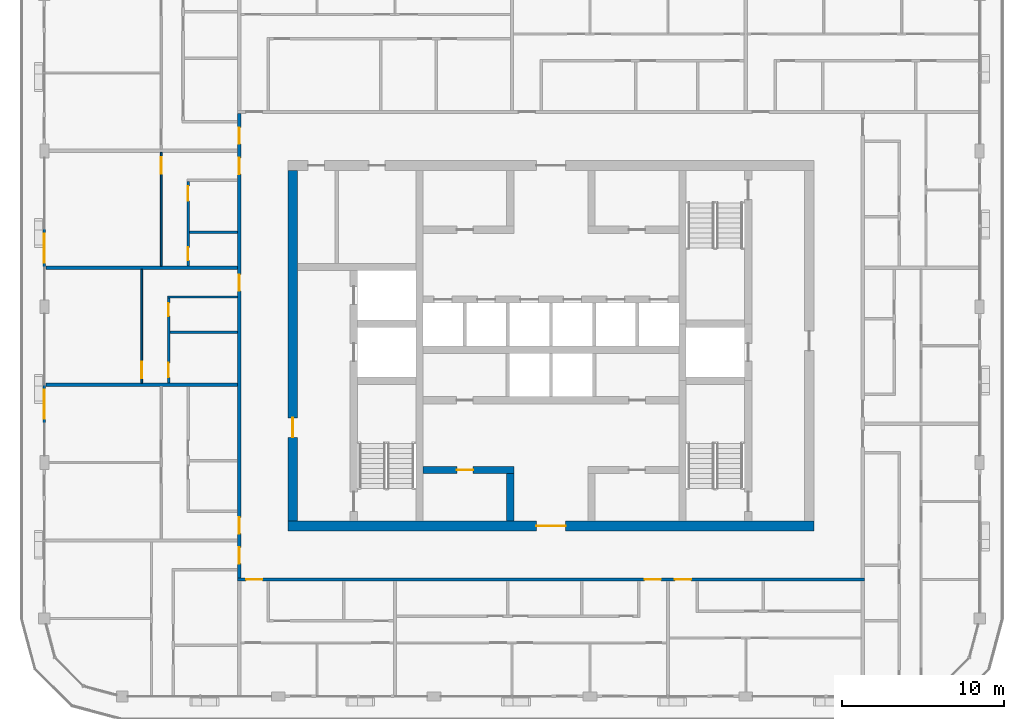
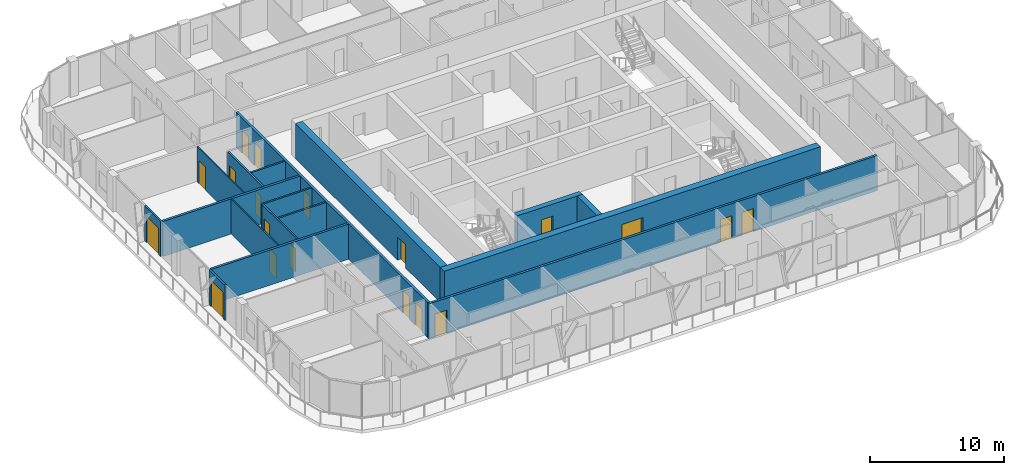
# One storey, part 10 of 21: 19 doors, 17 walls, 19 openings.
"""IFC4 building model written with IfcOpenShell, lengths in metres."""

from ifc_helpers import new_model, si_unit, direction, frame, frame_2d, origin, place, context, subcontext, project, spatial, rectangle, extrude, material, layer, layer_set, type_object, element, fill, save


model = new_model("IFC4")

# Units and contexts
model_context = context("Model", 3, precision=1e-05, world=origin(), true_north=direction((0.0, 1.0)))
body_context = subcontext(model_context, "Body", "Model", "MODEL_VIEW")
ifc_project = project(units=[si_unit("LENGTHUNIT", "METRE"), si_unit("AREAUNIT", "SQUARE_METRE"), si_unit("VOLUMEUNIT", "CUBIC_METRE"), si_unit("PLANEANGLEUNIT", "RADIAN"), si_unit("MASSUNIT", "GRAM", prefix="KILO")], contexts=[model_context])

# Site, building, storey
site_placement = place(None, origin())
site = spatial("IfcSite", under=ifc_project, at=site_placement, CompositionType="ELEMENT")
building_placement = place(site_placement, origin())
building = spatial("IfcBuilding", under=site, at=building_placement, Name="Madar Terraces", CompositionType="ELEMENT")
storey_placement = place(building_placement, frame((0.0, 0.0, 252.699951171875)))
storey = spatial("IfcBuildingStorey", under=building, at=storey_placement, Name="L66", CompositionType="ELEMENT", Elevation=252.699951171875)

# Wall, opening, door
ifc_material_1 = material(Name="Concrete C55/67", Category="concrete")
ifc_layer_1 = layer(ifc_material_1, 0.449951171875)
ifc_layer_set_1 = layer_set([ifc_layer_1], Name="Concrete C55/67 (CIW5 RC wall 450)")
wall_type_1 = type_object("IfcWallType", Name="CIW5 RC wall 450", PredefinedType="SHEAR", material=ifc_layer_set_1)
wall_1_placement = place(storey_placement, frame((23.324951171875, 18.75, 0.0), z_axis=(0.0, 0.0, 1.0), x_axis=(1.0, 0.0, 0.0)))
wall_1 = element("IfcWall", 1, at=wall_1_placement, inside=storey, type_object=wall_type_1, Name="CORE SHAFT WALL", PredefinedType="SHEAR", context=body_context, shape_type="SweptSolid", body=[
    extrude(rectangle(XDim=5.60009765625, YDim=0.449951171875, at=frame_2d((2.800048828125, 0.0))), origin(), (0.0, 0.0, 1.0), 3.199951171875),
])
opening_1_placement = place(wall_1_placement, frame((2.074951171875, 0.0, 0.0)))
opening_1 = element("IfcOpeningElement", 2, at=opening_1_placement, cuts=wall_1, Name="Opening KD2", PredefinedType="OPENING", context=body_context, shape_type="SweptSolid", body=[
    extrude(rectangle(XDim=1.0, YDim=2.10009765625, at=frame_2d((0.5, 1.050048828125))), frame((0.0, 0.23486328125, 0.0), z_axis=(0.0, -1.0, 0.0), x_axis=(1.0, 0.0, 0.0)), (0.0, 0.0, 1.0), 0.469970703125),
])
ifc_material_2 = material(Name="Steel door leaf", Category="steel")
door_type_1 = type_object("IfcDoorType", Name="Service room door 1000 x 2100", OperationType="NOTDEFINED", PredefinedType="DOOR", material=ifc_material_2)
door_1_placement = place(opening_1_placement, origin())
door_1 = element("IfcDoor", 3, at=door_1_placement, inside=storey, type_object=door_type_1, Name="SERVICE ROOM DOOR", OperationType="SINGLE_SWING_LEFT", OverallHeight=2.10009765625, OverallWidth=1.0, PredefinedType="DOOR", context=body_context, shape_type="SweptSolid", body=[
    extrude(rectangle(XDim=1.0, YDim=2.10009765625, at=frame_2d((0.5, 1.050048828125))), frame((0.0, 0.02490234375, 0.0), z_axis=(0.0, -1.0, 0.0), x_axis=(1.0, 0.0, 0.0)), (0.0, 0.0, 1.0), 0.050048828125),
])
fill(opening_1, door_1)

# Wall
wall_2_placement = place(storey_placement, frame((28.699951171875, 15.60009765625, 0.0), z_axis=(0.0, 0.0, 1.0), x_axis=(0.0, 1.0, 0.0)))
element("IfcWall", 4, at=wall_2_placement, inside=storey, type_object=wall_type_1, Name="CORE SHAFT WALL", PredefinedType="SHEAR", context=body_context, shape_type="SweptSolid", body=[
    extrude(rectangle(XDim=2.9248046875, YDim=0.449951171875, at=frame_2d((1.46240234375, 0.0))), origin(), (0.0, 0.0, 1.0), 3.199951171875),
])

# Wall, opening, door
ifc_material_3 = material(Name="Concrete C55/67", Category="concrete")
ifc_layer_2 = layer(ifc_material_3, 0.60009765625)
ifc_layer_set_2 = layer_set([ifc_layer_2], Name="Concrete C55/67 (CRW5 RC wall 600)")
wall_type_2 = type_object("IfcWallType", Name="CRW5 RC wall 600", PredefinedType="SHEAR", material=ifc_layer_set_2)
wall_3_placement = place(storey_placement, frame((15.0, 15.300048828125, 0.0), z_axis=(0.0, 0.0, 1.0), x_axis=(1.0, 0.0, 0.0)))
wall_3 = element("IfcWall", 5, at=wall_3_placement, inside=storey, type_object=wall_type_2, Name="CORE OUTER WALL", PredefinedType="SHEAR", context=body_context, shape_type="SweptSolid", body=[
    extrude(rectangle(XDim=32.39990234375, YDim=0.60009765625, at=frame_2d((16.199951171875, 0.0))), origin(), (0.0, 0.0, 1.0), 3.199951171875),
])
opening_2_placement = place(wall_3_placement, frame((15.300048828125, 0.0, 0.0)))
opening_2 = element("IfcOpeningElement", 6, at=opening_2_placement, cuts=wall_3, Name="Opening KD1", PredefinedType="OPENING", context=body_context, shape_type="SweptSolid", body=[
    extrude(rectangle(XDim=1.800048828125, YDim=2.10009765625, at=frame_2d((0.89990234375, 1.050048828125))), frame((0.0, 0.31005859375, 0.0), z_axis=(0.0, -1.0, 0.0), x_axis=(1.0, 0.0, 0.0)), (0.0, 0.0, 1.0), 0.6201171875),
])
ifc_material_4 = material(Name="Steel door leaf", Category="steel")
door_type_2 = type_object("IfcDoorType", Name="Lobby door pair 1800 x 2100", OperationType="DOUBLE_DOOR_SINGLE_SWING", PredefinedType="DOOR", material=ifc_material_4)
door_2_placement = place(opening_2_placement, frame((1.800048828125, 0.0, 0.0), z_axis=(0.0, 0.0, 1.0), x_axis=(-1.0, 0.0, 0.0)))
door_2 = element("IfcDoor", 7, at=door_2_placement, inside=storey, type_object=door_type_2, Name="LIFT LOBBY DOOR", OperationType="DOUBLE_DOOR_SINGLE_SWING", OverallHeight=2.10009765625, OverallWidth=1.800048828125, PredefinedType="DOOR", context=body_context, shape_type="SweptSolid", body=[
    extrude(rectangle(XDim=1.800048828125, YDim=2.10009765625, at=frame_2d((0.89990234375, 1.050048828125))), frame((0.0, 0.02490234375, 0.0), z_axis=(0.0, -1.0, 0.0), x_axis=(1.0, 0.0, 0.0)), (0.0, 0.0, 1.0), 0.050048828125),
])
fill(opening_2, door_2)

wall_4_placement = place(storey_placement, frame((15.300048828125, 15.60009765625, 0.0), z_axis=(0.0, 0.0, 1.0), x_axis=(0.0, 1.0, 0.0)))
wall_4 = element("IfcWall", 8, at=wall_4_placement, inside=storey, type_object=wall_type_2, Name="CORE OUTER WALL", PredefinedType="SHEAR", context=body_context, shape_type="SweptSolid", body=[
    extrude(rectangle(XDim=21.599853515625, YDim=0.60009765625, at=frame_2d((10.7998046875, 0.0))), origin(), (0.0, 0.0, 1.0), 3.199951171875),
])
opening_3_placement = place(wall_4_placement, frame((5.159912109375, 0.0, 0.0)))
opening_3 = element("IfcOpeningElement", 9, at=opening_3_placement, cuts=wall_4, Name="Opening SD1", PredefinedType="OPENING", context=body_context, shape_type="SweptSolid", body=[
    extrude(rectangle(XDim=1.199951171875, YDim=2.10009765625, at=frame_2d((0.60009765625, 1.050048828125))), frame((0.0, 0.31005859375, 0.0), z_axis=(0.0, -1.0, 0.0), x_axis=(1.0, 0.0, 0.0)), (0.0, 0.0, 1.0), 0.6201171875),
])
ifc_material_5 = material(Name="Steel door leaf", Category="steel")
door_type_3 = type_object("IfcDoorType", Name="Stair door 1200 x 2100", OperationType="NOTDEFINED", PredefinedType="DOOR", material=ifc_material_5)
door_3_placement = place(opening_3_placement, frame((1.199951171875, 0.0, 0.0), z_axis=(0.0, 0.0, 1.0), x_axis=(-1.0, 0.0, 0.0)))
door_3 = element("IfcDoor", 10, at=door_3_placement, inside=storey, type_object=door_type_3, Name="STAIR DOOR", OperationType="SINGLE_SWING_LEFT", OverallHeight=2.10009765625, OverallWidth=1.199951171875, PredefinedType="DOOR", context=body_context, shape_type="SweptSolid", body=[
    extrude(rectangle(XDim=1.199951171875, YDim=2.10009765625, at=frame_2d((0.60009765625, 1.050048828125))), frame((0.0, 0.02490234375, 0.0), z_axis=(0.0, -1.0, 0.0), x_axis=(1.0, 0.0, 0.0)), (0.0, 0.0, 1.0), 0.050048828125),
])
fill(opening_3, door_3)

ifc_material_6 = material(Name="Aluminium composite panel, black, over insulated backing", Category="aluminium")
ifc_layer_3 = layer(ifc_material_6, 0.14990234375)
ifc_layer_set_3 = layer_set([ifc_layer_3], Name="Facade bay panel 150")
wall_type_3 = type_object("IfcWallType", Name="Facade bay panel 150", PredefinedType="SOLIDWALL", material=ifc_layer_set_3)
wall_5_placement = place(storey_placement, frame((0.0, 33.60009765625, 0.0), z_axis=(0.0, 0.0, 1.0), x_axis=(0.0, -1.0, 0.0)))
wall_5 = element("IfcWall", 11, at=wall_5_placement, inside=storey, type_object=wall_type_3, Name="Facade bay panel", PredefinedType="SOLIDWALL", context=body_context, shape_type="SweptSolid", body=[
    extrude(rectangle(XDim=2.400146484375, YDim=0.14990234375, at=frame_2d((1.2001953125, 0.0))), origin(), (0.0, 0.0, 1.0), 3.199951171875),
])
opening_4_placement = place(wall_5_placement, frame((0.300048828125, 0.0, 0.0)))
opening_4 = element("IfcOpeningElement", 12, at=opening_4_placement, cuts=wall_5, Name="Opening ED1", PredefinedType="OPENING", context=body_context, shape_type="SweptSolid", body=[
    extrude(rectangle(XDim=1.800048828125, YDim=2.39990234375, at=frame_2d((0.89990234375, 1.199951171875))), frame((0.0, 0.0849609375, 0.0), z_axis=(0.0, -1.0, 0.0), x_axis=(1.0, 0.0, 0.0)), (0.0, 0.0, 1.0), 0.169921875),
])
ifc_material_7 = material(Name="Glass, clear, with black aluminium frame", Category="aluminium")
door_type_4 = type_object("IfcDoorType", Name="Balcony and terrace sliding door 1800 x 2400", OperationType="SLIDING_TO_LEFT", PredefinedType="DOOR", material=ifc_material_7)
door_4_placement = place(opening_4_placement, origin())
door_4 = element("IfcDoor", 13, at=door_4_placement, inside=storey, type_object=door_type_4, Name="Balcony door", OperationType="SLIDING_TO_RIGHT", OverallHeight=2.39990234375, OverallWidth=1.800048828125, PredefinedType="DOOR", context=body_context, shape_type="SweptSolid", body=[
    extrude(rectangle(XDim=1.800048828125, YDim=2.39990234375, at=frame_2d((0.89990234375, 1.199951171875))), frame((0.0, 0.02490234375, 0.0), z_axis=(0.0, -1.0, 0.0), x_axis=(1.0, 0.0, 0.0)), (0.0, 0.0, 1.0), 0.050048828125),
])
fill(opening_4, door_4)

wall_6_placement = place(storey_placement, frame((0.0, 24.0, 0.0), z_axis=(0.0, 0.0, 1.0), x_axis=(0.0, -1.0, 0.0)))
wall_6 = element("IfcWall", 14, at=wall_6_placement, inside=storey, type_object=wall_type_3, Name="Facade bay panel", PredefinedType="SOLIDWALL", context=body_context, shape_type="SweptSolid", body=[
    extrude(rectangle(XDim=2.39990234375, YDim=0.14990234375, at=frame_2d((1.199951171875, 0.0))), origin(), (0.0, 0.0, 1.0), 3.199951171875),
])
opening_5_placement = place(wall_6_placement, frame((0.300048828125, 0.0, 0.0)))
opening_5 = element("IfcOpeningElement", 15, at=opening_5_placement, cuts=wall_6, Name="Opening ED1", PredefinedType="OPENING", context=body_context, shape_type="SweptSolid", body=[
    extrude(rectangle(XDim=1.800048828125, YDim=2.39990234375, at=frame_2d((0.89990234375, 1.199951171875))), frame((0.0, 0.0849609375, 0.0), z_axis=(0.0, -1.0, 0.0), x_axis=(1.0, 0.0, 0.0)), (0.0, 0.0, 1.0), 0.169921875),
])
door_5_placement = place(opening_5_placement, origin())
door_5 = element("IfcDoor", 16, at=door_5_placement, inside=storey, type_object=door_type_4, Name="Balcony door", OperationType="SLIDING_TO_LEFT", OverallHeight=2.39990234375, OverallWidth=1.800048828125, PredefinedType="DOOR", context=body_context, shape_type="SweptSolid", body=[
    extrude(rectangle(XDim=1.800048828125, YDim=2.39990234375, at=frame_2d((0.89990234375, 1.199951171875))), frame((0.0, 0.02490234375, 0.0), z_axis=(0.0, -1.0, 0.0), x_axis=(1.0, 0.0, 0.0)), (0.0, 0.0, 1.0), 0.050048828125),
])
fill(opening_5, door_5)

ifc_material_8 = material(Name="Gypsum board on steel studs", Category="steel")
ifc_layer_4 = layer(ifc_material_8, 0.10009765625)
ifc_layer_set_4 = layer_set([ifc_layer_4], Name="Flat partition 100")
wall_type_4 = type_object("IfcWallType", Name="Flat partition 100", PredefinedType="PARTITIONING", material=ifc_layer_set_4)
wall_7_placement = place(storey_placement, frame((7.199951171875, 31.300048828125, 0.0), z_axis=(0.0, 0.0, 1.0), x_axis=(0.0, 1.0, 0.0)))
wall_7 = element("IfcWall", 17, at=wall_7_placement, inside=storey, type_object=wall_type_4, Name="Flat partition 100", PredefinedType="PARTITIONING", context=body_context, shape_type="SweptSolid", body=[
    extrude(rectangle(XDim=7.0, YDim=0.10009765625, at=frame_2d((3.5, 0.0))), origin(), (0.0, 0.0, 1.0), 3.199951171875),
])
opening_6_placement = place(wall_7_placement, frame((5.699951171875, 0.0, 0.0)))
opening_6 = element("IfcOpeningElement", 18, at=opening_6_placement, cuts=wall_7, Name="Opening D3", PredefinedType="OPENING", context=body_context, shape_type="SweptSolid", body=[
    extrude(rectangle(XDim=1.0, YDim=2.10009765625, at=frame_2d((0.5, 1.050048828125))), frame((0.0, 0.06005859375, 0.0), z_axis=(0.0, -1.0, 0.0), x_axis=(1.0, 0.0, 0.0)), (0.0, 0.0, 1.0), 0.1201171875),
])
ifc_material_9 = material(Name="Timber door leaf", Category="wood")
door_type_5 = type_object("IfcDoorType", Name="Flat living room door 1000", OperationType="NOTDEFINED", PredefinedType="DOOR", material=ifc_material_9)
door_6_placement = place(opening_6_placement, origin())
door_6 = element("IfcDoor", 19, at=door_6_placement, inside=storey, type_object=door_type_5, Name="Flat living room door 1000", OperationType="SINGLE_SWING_RIGHT", OverallHeight=2.10009765625, OverallWidth=1.0, PredefinedType="DOOR", context=body_context, shape_type="SweptSolid", body=[
    extrude(rectangle(XDim=1.0, YDim=2.10009765625, at=frame_2d((0.5, 1.050048828125))), frame((0.0, 0.02490234375, 0.0), z_axis=(0.0, -1.0, 0.0), x_axis=(1.0, 0.0, 0.0)), (0.0, 0.0, 1.0), 0.050048828125),
])
fill(opening_6, door_6)

wall_8_placement = place(storey_placement, frame((6.0, 24.10009765625, 0.0), z_axis=(0.0, 0.0, 1.0), x_axis=(0.0, 1.0, 0.0)))
wall_8 = element("IfcWall", 20, at=wall_8_placement, inside=storey, type_object=wall_type_4, Name="Flat partition 100", PredefinedType="PARTITIONING", context=body_context, shape_type="SweptSolid", body=[
    extrude(rectangle(XDim=7.0, YDim=0.10009765625, at=frame_2d((3.5, 0.0))), origin(), (0.0, 0.0, 1.0), 3.199951171875),
])
opening_7_placement = place(wall_8_placement, frame((0.300048828125, 0.0, 0.0)))
opening_7 = element("IfcOpeningElement", 21, at=opening_7_placement, cuts=wall_8, Name="Opening D3", PredefinedType="OPENING", context=body_context, shape_type="SweptSolid", body=[
    extrude(rectangle(XDim=1.0, YDim=2.10009765625, at=frame_2d((0.5, 1.050048828125))), frame((0.0, 0.06005859375, 0.0), z_axis=(0.0, -1.0, 0.0), x_axis=(1.0, 0.0, 0.0)), (0.0, 0.0, 1.0), 0.1201171875),
])
door_7_placement = place(opening_7_placement, origin())
door_7 = element("IfcDoor", 22, at=door_7_placement, inside=storey, type_object=door_type_5, Name="Flat living room door 1000", OperationType="SINGLE_SWING_LEFT", OverallHeight=2.10009765625, OverallWidth=1.0, PredefinedType="DOOR", context=body_context, shape_type="SweptSolid", body=[
    extrude(rectangle(XDim=1.0, YDim=2.10009765625, at=frame_2d((0.5, 1.050048828125))), frame((0.0, 0.02490234375, 0.0), z_axis=(0.0, -1.0, 0.0), x_axis=(1.0, 0.0, 0.0)), (0.0, 0.0, 1.0), 0.050048828125),
])
fill(opening_7, door_7)

# Wall, openings, doors
ifc_material_10 = material(Name="Lightweight blockwork", Category="masonry")
ifc_layer_5 = layer(ifc_material_10, 0.199951171875)
ifc_layer_set_5 = layer_set([ifc_layer_5], Name="Flat party and entrance wall 200")
wall_type_5 = type_object("IfcWallType", Name="Flat party and entrance wall 200", PredefinedType="PARTITIONING", material=ifc_layer_set_5)
wall_9_placement = place(storey_placement, frame((50.5, 12.0, 0.0), z_axis=(0.0, 0.0, 1.0), x_axis=(-1.0, 0.0, 0.0)))
wall_9 = element("IfcWall", 23, at=wall_9_placement, inside=storey, type_object=wall_type_5, Name="Flat party and entrance wall 200", PredefinedType="PARTITIONING", context=body_context, shape_type="SweptSolid", body=[
    extrude(rectangle(XDim=38.60009765625, YDim=0.199951171875, at=frame_2d((19.300048828125, 0.0))), origin(), (0.0, 0.0, 1.0), 3.199951171875),
])
opening_8_placement = place(wall_9_placement, frame((37.074951171875, 0.0, 0.0)))
opening_8 = element("IfcOpeningElement", 24, at=opening_8_placement, cuts=wall_9, Name="Opening D1", PredefinedType="OPENING", context=body_context, shape_type="SweptSolid", body=[
    extrude(rectangle(XDim=1.0, YDim=2.10009765625, at=frame_2d((0.5, 1.050048828125))), frame((0.0, 0.10986328125, 0.0), z_axis=(0.0, -1.0, 0.0), x_axis=(1.0, 0.0, 0.0)), (0.0, 0.0, 1.0), 0.219970703125),
])
opening_9_placement = place(wall_9_placement, frame((12.52490234375, 0.0, 0.0)))
opening_9 = element("IfcOpeningElement", 25, at=opening_9_placement, cuts=wall_9, Name="Opening D1", PredefinedType="OPENING", context=body_context, shape_type="SweptSolid", body=[
    extrude(rectangle(XDim=1.0, YDim=2.10009765625, at=frame_2d((0.5, 1.050048828125))), frame((0.0, 0.10986328125, 0.0), z_axis=(0.0, -1.0, 0.0), x_axis=(1.0, 0.0, 0.0)), (0.0, 0.0, 1.0), 0.219970703125),
])
opening_10_placement = place(wall_9_placement, frame((10.675048828125, 0.0, 0.0)))
opening_10 = element("IfcOpeningElement", 26, at=opening_10_placement, cuts=wall_9, Name="Opening D1", PredefinedType="OPENING", context=body_context, shape_type="SweptSolid", body=[
    extrude(rectangle(XDim=1.0, YDim=2.10009765625, at=frame_2d((0.5, 1.050048828125))), frame((0.0, 0.10986328125, 0.0), z_axis=(0.0, -1.0, 0.0), x_axis=(1.0, 0.0, 0.0)), (0.0, 0.0, 1.0), 0.219970703125),
])
ifc_material_11 = material(Name="Timber fire door leaf", Category="wood")
door_type_6 = type_object("IfcDoorType", Name="Flat entrance door 1000 FD30S", OperationType="NOTDEFINED", PredefinedType="DOOR", material=ifc_material_11)
door_8_placement = place(opening_8_placement, origin())
door_8 = element("IfcDoor", 27, at=door_8_placement, inside=storey, type_object=door_type_6, Name="Flat entrance door 1000 FD30S", OperationType="SINGLE_SWING_RIGHT", OverallHeight=2.10009765625, OverallWidth=1.0, PredefinedType="DOOR", context=body_context, shape_type="SweptSolid", body=[
    extrude(rectangle(XDim=1.0, YDim=2.10009765625, at=frame_2d((0.5, 1.050048828125))), frame((0.0, 0.02490234375, 0.0), z_axis=(0.0, -1.0, 0.0), x_axis=(1.0, 0.0, 0.0)), (0.0, 0.0, 1.0), 0.050048828125),
])
fill(opening_8, door_8)
door_9_placement = place(opening_9_placement, origin())
door_9 = element("IfcDoor", 28, at=door_9_placement, inside=storey, type_object=door_type_6, Name="Flat entrance door 1000 FD30S", OperationType="SINGLE_SWING_LEFT", OverallHeight=2.10009765625, OverallWidth=1.0, PredefinedType="DOOR", context=body_context, shape_type="SweptSolid", body=[
    extrude(rectangle(XDim=1.0, YDim=2.10009765625, at=frame_2d((0.5, 1.050048828125))), frame((0.0, 0.02490234375, 0.0), z_axis=(0.0, -1.0, 0.0), x_axis=(1.0, 0.0, 0.0)), (0.0, 0.0, 1.0), 0.050048828125),
])
fill(opening_9, door_9)
door_10_placement = place(opening_10_placement, origin())
door_10 = element("IfcDoor", 29, at=door_10_placement, inside=storey, type_object=door_type_6, Name="Flat entrance door 1000 FD30S", OperationType="SINGLE_SWING_RIGHT", OverallHeight=2.10009765625, OverallWidth=1.0, PredefinedType="DOOR", context=body_context, shape_type="SweptSolid", body=[
    extrude(rectangle(XDim=1.0, YDim=2.10009765625, at=frame_2d((0.5, 1.050048828125))), frame((0.0, 0.02490234375, 0.0), z_axis=(0.0, -1.0, 0.0), x_axis=(1.0, 0.0, 0.0)), (0.0, 0.0, 1.0), 0.050048828125),
])
fill(opening_10, door_10)

wall_10_placement = place(storey_placement, frame((12.0, 12.10009765625, 0.0), z_axis=(0.0, 0.0, 1.0), x_axis=(0.0, 1.0, 0.0)))
wall_10 = element("IfcWall", 30, at=wall_10_placement, inside=storey, type_object=wall_type_5, Name="Flat party and entrance wall 200", PredefinedType="PARTITIONING", context=body_context, shape_type="SweptSolid", body=[
    extrude(rectangle(XDim=28.599853515625, YDim=0.199951171875, at=frame_2d((14.2998046875, 0.0))), origin(), (0.0, 0.0, 1.0), 3.199951171875),
])
opening_11_placement = place(wall_10_placement, frame((26.72509765625, 0.0, 0.0)))
opening_11 = element("IfcOpeningElement", 31, at=opening_11_placement, cuts=wall_10, Name="Opening D1", PredefinedType="OPENING", context=body_context, shape_type="SweptSolid", body=[
    extrude(rectangle(XDim=1.0, YDim=2.10009765625, at=frame_2d((0.5, 1.050048828125))), frame((0.0, 0.10986328125, 0.0), z_axis=(0.0, -1.0, 0.0), x_axis=(1.0, 0.0, 0.0)), (0.0, 0.0, 1.0), 0.219970703125),
])
opening_12_placement = place(wall_10_placement, frame((24.875, 0.0, 0.0)))
opening_12 = element("IfcOpeningElement", 32, at=opening_12_placement, cuts=wall_10, Name="Opening D1", PredefinedType="OPENING", context=body_context, shape_type="SweptSolid", body=[
    extrude(rectangle(XDim=1.0, YDim=2.10009765625, at=frame_2d((0.5, 1.050048828125))), frame((0.0, 0.10986328125, 0.0), z_axis=(0.0, -1.0, 0.0), x_axis=(1.0, 0.0, 0.0)), (0.0, 0.0, 1.0), 0.219970703125),
])
opening_13_placement = place(wall_10_placement, frame((17.675048828125, 0.0, 0.0)))
opening_13 = element("IfcOpeningElement", 33, at=opening_13_placement, cuts=wall_10, Name="Opening D1", PredefinedType="OPENING", context=body_context, shape_type="SweptSolid", body=[
    extrude(rectangle(XDim=1.0, YDim=2.10009765625, at=frame_2d((0.5, 1.050048828125))), frame((0.0, 0.10986328125, 0.0), z_axis=(0.0, -1.0, 0.0), x_axis=(1.0, 0.0, 0.0)), (0.0, 0.0, 1.0), 0.219970703125),
])
opening_14_placement = place(wall_10_placement, frame((2.72509765625, 0.0, 0.0)))
opening_14 = element("IfcOpeningElement", 34, at=opening_14_placement, cuts=wall_10, Name="Opening D1", PredefinedType="OPENING", context=body_context, shape_type="SweptSolid", body=[
    extrude(rectangle(XDim=1.0, YDim=2.10009765625, at=frame_2d((0.5, 1.050048828125))), frame((0.0, 0.10986328125, 0.0), z_axis=(0.0, -1.0, 0.0), x_axis=(1.0, 0.0, 0.0)), (0.0, 0.0, 1.0), 0.219970703125),
])
opening_15_placement = place(wall_10_placement, frame((0.875, 0.0, 0.0)))
opening_15 = element("IfcOpeningElement", 35, at=opening_15_placement, cuts=wall_10, Name="Opening D1", PredefinedType="OPENING", context=body_context, shape_type="SweptSolid", body=[
    extrude(rectangle(XDim=1.0, YDim=2.10009765625, at=frame_2d((0.5, 1.050048828125))), frame((0.0, 0.10986328125, 0.0), z_axis=(0.0, -1.0, 0.0), x_axis=(1.0, 0.0, 0.0)), (0.0, 0.0, 1.0), 0.219970703125),
])
door_11_placement = place(opening_11_placement, origin())
door_11 = element("IfcDoor", 36, at=door_11_placement, inside=storey, type_object=door_type_6, Name="Flat entrance door 1000 FD30S", OperationType="SINGLE_SWING_LEFT", OverallHeight=2.10009765625, OverallWidth=1.0, PredefinedType="DOOR", context=body_context, shape_type="SweptSolid", body=[
    extrude(rectangle(XDim=1.0, YDim=2.10009765625, at=frame_2d((0.5, 1.050048828125))), frame((0.0, 0.02490234375, 0.0), z_axis=(0.0, -1.0, 0.0), x_axis=(1.0, 0.0, 0.0)), (0.0, 0.0, 1.0), 0.050048828125),
])
fill(opening_11, door_11)
door_12_placement = place(opening_12_placement, origin())
door_12 = element("IfcDoor", 37, at=door_12_placement, inside=storey, type_object=door_type_6, Name="Flat entrance door 1000 FD30S", OperationType="SINGLE_SWING_RIGHT", OverallHeight=2.10009765625, OverallWidth=1.0, PredefinedType="DOOR", context=body_context, shape_type="SweptSolid", body=[
    extrude(rectangle(XDim=1.0, YDim=2.10009765625, at=frame_2d((0.5, 1.050048828125))), frame((0.0, 0.02490234375, 0.0), z_axis=(0.0, -1.0, 0.0), x_axis=(1.0, 0.0, 0.0)), (0.0, 0.0, 1.0), 0.050048828125),
])
fill(opening_12, door_12)
door_13_placement = place(opening_13_placement, origin())
door_13 = element("IfcDoor", 38, at=door_13_placement, inside=storey, type_object=door_type_6, Name="Flat entrance door 1000 FD30S", OperationType="SINGLE_SWING_RIGHT", OverallHeight=2.10009765625, OverallWidth=1.0, PredefinedType="DOOR", context=body_context, shape_type="SweptSolid", body=[
    extrude(rectangle(XDim=1.0, YDim=2.10009765625, at=frame_2d((0.5, 1.050048828125))), frame((0.0, 0.02490234375, 0.0), z_axis=(0.0, -1.0, 0.0), x_axis=(1.0, 0.0, 0.0)), (0.0, 0.0, 1.0), 0.050048828125),
])
fill(opening_13, door_13)
door_14_placement = place(opening_14_placement, origin())
door_14 = element("IfcDoor", 39, at=door_14_placement, inside=storey, type_object=door_type_6, Name="Flat entrance door 1000 FD30S", OperationType="SINGLE_SWING_LEFT", OverallHeight=2.10009765625, OverallWidth=1.0, PredefinedType="DOOR", context=body_context, shape_type="SweptSolid", body=[
    extrude(rectangle(XDim=1.0, YDim=2.10009765625, at=frame_2d((0.5, 1.050048828125))), frame((0.0, 0.02490234375, 0.0), z_axis=(0.0, -1.0, 0.0), x_axis=(1.0, 0.0, 0.0)), (0.0, 0.0, 1.0), 0.050048828125),
])
fill(opening_14, door_14)
door_15_placement = place(opening_15_placement, origin())
door_15 = element("IfcDoor", 40, at=door_15_placement, inside=storey, type_object=door_type_6, Name="Flat entrance door 1000 FD30S", OperationType="SINGLE_SWING_RIGHT", OverallHeight=2.10009765625, OverallWidth=1.0, PredefinedType="DOOR", context=body_context, shape_type="SweptSolid", body=[
    extrude(rectangle(XDim=1.0, YDim=2.10009765625, at=frame_2d((0.5, 1.050048828125))), frame((0.0, 0.02490234375, 0.0), z_axis=(0.0, -1.0, 0.0), x_axis=(1.0, 0.0, 0.0)), (0.0, 0.0, 1.0), 0.050048828125),
])
fill(opening_15, door_15)

# Walls
for number, where, z_axis, x_axis, name in (
    (41, (0.10009765625, 31.199951171875, 0.0), (0.0, 0.0, 1.0), (1.0, 0.0, 0.0), "Flat party and entrance wall 200"),
    (42, (0.10009765625, 24.0, 0.0), (0.0, 0.0, 1.0), (1.0, 0.0, 0.0), "Flat party and entrance wall 200"),
):
    element("IfcWall", number, at=place(storey_placement, frame(where, z_axis=z_axis, x_axis=x_axis)), inside=storey, type_object=wall_type_5, Name=name, PredefinedType="PARTITIONING", context=body_context, shape_type="SweptSolid", body=[
        extrude(rectangle(XDim=11.7998046875, YDim=0.199951171875, at=frame_2d((5.89990234375, 0.0))), origin(), (0.0, 0.0, 1.0), 3.199951171875),
    ])
ifc_material_12 = material(Name="Lightweight blockwork", Category="masonry")
ifc_layer_6 = layer(ifc_material_12, 0.14990234375)
ifc_layer_set_6 = layer_set([ifc_layer_6], Name="Flat wet-room partition 150")
wall_type_6 = type_object("IfcWallType", Name="Flat wet-room partition 150", PredefinedType="PARTITIONING", material=ifc_layer_set_6)
wall_11_placement = place(storey_placement, frame((11.89990234375, 33.389892578125, 0.0), z_axis=(0.0, 0.0, 1.0), x_axis=(-1.0, 0.0, 0.0)))
element("IfcWall", 43, at=wall_11_placement, inside=storey, type_object=wall_type_6, Name="Flat wet-room partition 150", PredefinedType="PARTITIONING", context=body_context, shape_type="SweptSolid", body=[
    extrude(rectangle(XDim=2.974853515625, YDim=0.14990234375, at=frame_2d((1.4873046875, 0.0))), origin(), (0.0, 0.0, 1.0), 3.199951171875),
])

# Wall, openings, doors
wall_12_placement = place(storey_placement, frame((8.85009765625, 36.52490234375, 0.0), z_axis=(0.0, 0.0, 1.0), x_axis=(0.0, -1.0, 0.0)))
wall_12 = element("IfcWall", 44, at=wall_12_placement, inside=storey, type_object=wall_type_6, Name="Flat wet-room partition 150", PredefinedType="PARTITIONING", context=body_context, shape_type="SweptSolid", body=[
    extrude(rectangle(XDim=5.224853515625, YDim=0.14990234375, at=frame_2d((2.6123046875, 0.0))), origin(), (0.0, 0.0, 1.0), 3.199951171875),
])
opening_16_placement = place(wall_12_placement, frame((0.300048828125, 0.0, 0.0)))
opening_16 = element("IfcOpeningElement", 45, at=opening_16_placement, cuts=wall_12, Name="Opening D2", PredefinedType="OPENING", context=body_context, shape_type="SweptSolid", body=[
    extrude(rectangle(XDim=0.89990234375, YDim=2.10009765625, at=frame_2d((0.449951171875, 1.050048828125))), frame((0.0, 0.0849609375, 0.0), z_axis=(0.0, -1.0, 0.0), x_axis=(1.0, 0.0, 0.0)), (0.0, 0.0, 1.0), 0.169921875),
])
opening_17_placement = place(wall_12_placement, frame((4.074951171875, 0.0, 0.0)))
opening_17 = element("IfcOpeningElement", 46, at=opening_17_placement, cuts=wall_12, Name="Opening D4", PredefinedType="OPENING", context=body_context, shape_type="SweptSolid", body=[
    extrude(rectangle(XDim=0.800048828125, YDim=2.10009765625, at=frame_2d((0.39990234375, 1.050048828125))), frame((0.0, 0.0849609375, 0.0), z_axis=(0.0, -1.0, 0.0), x_axis=(1.0, 0.0, 0.0)), (0.0, 0.0, 1.0), 0.169921875),
])
ifc_material_13 = material(Name="Timber door leaf", Category="wood")
door_type_7 = type_object("IfcDoorType", Name="Flat bathroom door 800", OperationType="NOTDEFINED", PredefinedType="DOOR", material=ifc_material_13)
door_16_placement = place(opening_17_placement, origin())
door_16 = element("IfcDoor", 47, at=door_16_placement, inside=storey, type_object=door_type_7, Name="Flat bathroom door 800", OperationType="SINGLE_SWING_RIGHT", OverallHeight=2.10009765625, OverallWidth=0.800048828125, PredefinedType="DOOR", context=body_context, shape_type="SweptSolid", body=[
    extrude(rectangle(XDim=0.800048828125, YDim=2.10009765625, at=frame_2d((0.39990234375, 1.050048828125))), frame((0.0, 0.02490234375, 0.0), z_axis=(0.0, -1.0, 0.0), x_axis=(1.0, 0.0, 0.0)), (0.0, 0.0, 1.0), 0.050048828125),
])
fill(opening_17, door_16)
ifc_material_14 = material(Name="Timber door leaf", Category="wood")
door_type_8 = type_object("IfcDoorType", Name="Flat room door 900", OperationType="NOTDEFINED", PredefinedType="DOOR", material=ifc_material_14)
door_17_placement = place(opening_16_placement, origin())
door_17 = element("IfcDoor", 48, at=door_17_placement, inside=storey, type_object=door_type_8, Name="Flat room door 900", OperationType="SINGLE_SWING_LEFT", OverallHeight=2.10009765625, OverallWidth=0.89990234375, PredefinedType="DOOR", context=body_context, shape_type="SweptSolid", body=[
    extrude(rectangle(XDim=0.89990234375, YDim=2.10009765625, at=frame_2d((0.449951171875, 1.050048828125))), frame((0.0, 0.02490234375, 0.0), z_axis=(0.0, -1.0, 0.0), x_axis=(1.0, 0.0, 0.0)), (0.0, 0.0, 1.0), 0.050048828125),
])
fill(opening_16, door_17)

# Walls
wall_13_placement = place(storey_placement, frame((11.89990234375, 27.235107421875, 0.0), z_axis=(0.0, 0.0, 1.0), x_axis=(-1.0, 0.0, 0.0)))
element("IfcWall", 49, at=wall_13_placement, inside=storey, type_object=wall_type_6, Name="Flat wet-room partition 150", PredefinedType="PARTITIONING", context=body_context, shape_type="SweptSolid", body=[
    extrude(rectangle(XDim=4.1748046875, YDim=0.14990234375, at=frame_2d((2.08740234375, 0.0))), origin(), (0.0, 0.0, 1.0), 3.199951171875),
])
wall_14_placement = place(storey_placement, frame((11.89990234375, 29.39990234375, 0.0), z_axis=(0.0, 0.0, 1.0), x_axis=(-1.0, 0.0, 0.0)))
element("IfcWall", 50, at=wall_14_placement, inside=storey, type_object=wall_type_6, Name="Flat wet-room partition 150", PredefinedType="PARTITIONING", context=body_context, shape_type="SweptSolid", body=[
    extrude(rectangle(XDim=4.324951171875, YDim=0.14990234375, at=frame_2d((2.16259765625, 0.0))), origin(), (0.0, 0.0, 1.0), 3.199951171875),
])

# Wall, openings, doors
wall_15_placement = place(storey_placement, frame((7.64990234375, 29.324951171875, 0.0), z_axis=(0.0, 0.0, 1.0), x_axis=(0.0, -1.0, 0.0)))
wall_15 = element("IfcWall", 51, at=wall_15_placement, inside=storey, type_object=wall_type_6, Name="Flat wet-room partition 150", PredefinedType="PARTITIONING", context=body_context, shape_type="SweptSolid", body=[
    extrude(rectangle(XDim=5.224853515625, YDim=0.14990234375, at=frame_2d((2.6123046875, 0.0))), origin(), (0.0, 0.0, 1.0), 3.199951171875),
])
opening_18_placement = place(wall_15_placement, frame((0.300048828125, 0.0, 0.0)))
opening_18 = element("IfcOpeningElement", 52, at=opening_18_placement, cuts=wall_15, Name="Opening D4", PredefinedType="OPENING", context=body_context, shape_type="SweptSolid", body=[
    extrude(rectangle(XDim=0.800048828125, YDim=2.10009765625, at=frame_2d((0.39990234375, 1.050048828125))), frame((0.0, 0.0849609375, 0.0), z_axis=(0.0, -1.0, 0.0), x_axis=(1.0, 0.0, 0.0)), (0.0, 0.0, 1.0), 0.169921875),
])
opening_19_placement = place(wall_15_placement, frame((3.97509765625, 0.0, 0.0)))
opening_19 = element("IfcOpeningElement", 53, at=opening_19_placement, cuts=wall_15, Name="Opening D2", PredefinedType="OPENING", context=body_context, shape_type="SweptSolid", body=[
    extrude(rectangle(XDim=0.89990234375, YDim=2.10009765625, at=frame_2d((0.449951171875, 1.050048828125))), frame((0.0, 0.0849609375, 0.0), z_axis=(0.0, -1.0, 0.0), x_axis=(1.0, 0.0, 0.0)), (0.0, 0.0, 1.0), 0.169921875),
])
door_18_placement = place(opening_18_placement, origin())
door_18 = element("IfcDoor", 54, at=door_18_placement, inside=storey, type_object=door_type_7, Name="Flat bathroom door 800", OperationType="SINGLE_SWING_LEFT", OverallHeight=2.10009765625, OverallWidth=0.800048828125, PredefinedType="DOOR", context=body_context, shape_type="SweptSolid", body=[
    extrude(rectangle(XDim=0.800048828125, YDim=2.10009765625, at=frame_2d((0.39990234375, 1.050048828125))), frame((0.0, 0.02490234375, 0.0), z_axis=(0.0, -1.0, 0.0), x_axis=(1.0, 0.0, 0.0)), (0.0, 0.0, 1.0), 0.050048828125),
])
fill(opening_18, door_18)
door_19_placement = place(opening_19_placement, origin())
door_19 = element("IfcDoor", 55, at=door_19_placement, inside=storey, type_object=door_type_8, Name="Flat room door 900", OperationType="SINGLE_SWING_RIGHT", OverallHeight=2.10009765625, OverallWidth=0.89990234375, PredefinedType="DOOR", context=body_context, shape_type="SweptSolid", body=[
    extrude(rectangle(XDim=0.89990234375, YDim=2.10009765625, at=frame_2d((0.449951171875, 1.050048828125))), frame((0.0, 0.02490234375, 0.0), z_axis=(0.0, -1.0, 0.0), x_axis=(1.0, 0.0, 0.0)), (0.0, 0.0, 1.0), 0.050048828125),
])
fill(opening_19, door_19)

save(model, "model.ifc")
